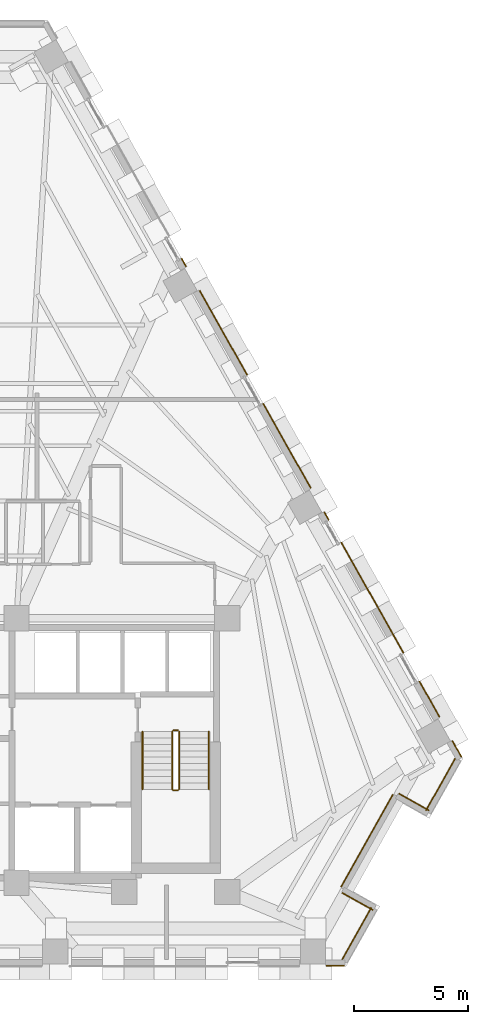
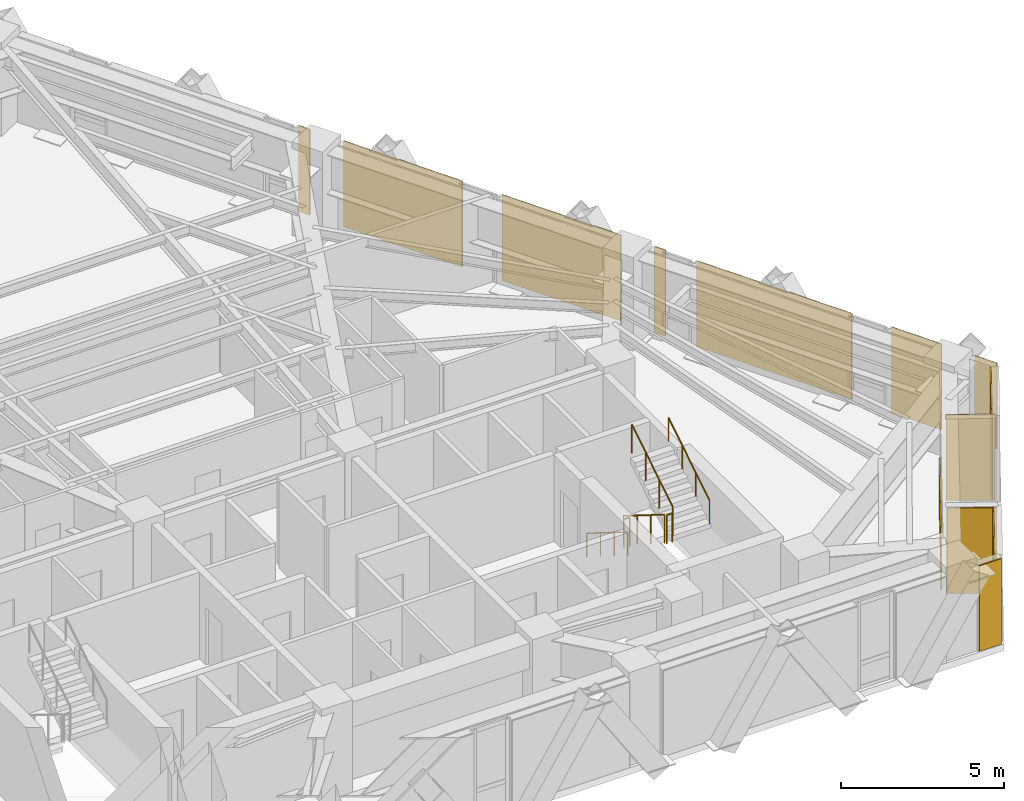
# One storey, part 12 of 13: 13 coverings, 6 railings.
"""IFC4 building model written with IfcOpenShell, lengths in metres."""

from ifc_helpers import new_model, si_unit, direction, frame, origin, origin_2d, place, context, subcontext, project, spatial, polyline, circle, outline, extrude, material, layer, layer_set, type_object, element, save


model = new_model("IFC4")

# Units and contexts
model_context = context("Model", 3, precision=1e-05, world=origin(), true_north=direction((0.0, 1.0)))
body_context = subcontext(model_context, "Body", "Model", "MODEL_VIEW")
ifc_project = project(units=[si_unit("LENGTHUNIT", "METRE"), si_unit("AREAUNIT", "SQUARE_METRE"), si_unit("VOLUMEUNIT", "CUBIC_METRE"), si_unit("PLANEANGLEUNIT", "RADIAN"), si_unit("MASSUNIT", "GRAM", prefix="KILO")], contexts=[model_context])

# Site, building, storey
site_placement = place(None, origin())
site = spatial("IfcSite", under=ifc_project, at=site_placement, CompositionType="ELEMENT")
building_placement = place(site_placement, origin())
building = spatial("IfcBuilding", under=site, at=building_placement, Name="Quenlor Broadcast Tower", CompositionType="ELEMENT")
storey_placement = place(building_placement, frame((0.0, 0.0, 126.5)))
storey = spatial("IfcBuildingStorey", under=building, at=storey_placement, Name="L34", CompositionType="ELEMENT", Elevation=126.5)

# Coverings
ifc_material_1 = material(Name="Architectural Terracotta Ceramic", Category="masonry")
ifc_layer = layer(ifc_material_1, 0.044921875)
ifc_layer_set = layer_set([ifc_layer], Name="Fluted Terracotta Rainscreen Cladding Panel")
covering_type = type_object("IfcCoveringType", Name="Fluted Terracotta Rainscreen Cladding Panel", PredefinedType="CLADDING", material=ifc_layer_set)
covering_1_placement = place(storey_placement, frame((0.0, 0.0, 0.02001953125)))
element("IfcCovering", 1, at=covering_1_placement, inside=storey, type_object=covering_type, Name="L34 Terracotta Rainscreen Cladding L34-SHD-SS0", PredefinedType="CLADDING", context=body_context, shape_type="SweptSolid", body=[
    extrude(outline(polyline([(18.053955078125, -19.951904296875), (17.277587890625, -19.951904296875), (17.277587890625, -19.9970703125), (18.053955078125, -19.9970703125), (18.053955078125, -19.951904296875)])), origin(), (0.0, 0.0, 1.0), 3.2099609375),
])
covering_2_placement = place(storey_placement, frame((0.0, 0.0, 0.02001953125)))
element("IfcCovering", 2, at=covering_2_placement, inside=storey, type_object=covering_type, Name="L34 Terracotta Rainscreen Cladding L34-SHD-NES1", PredefinedType="CLADDING", context=body_context, shape_type="SweptSolid", body=[
    extrude(outline(polyline([(22.76611328125, -10.171142578125), (23.160888671875, -10.873046875), (23.2001953125, -10.85107421875), (22.805419921875, -10.149169921875), (22.76611328125, -10.171142578125)])), origin(), (0.0, 0.0, 1.0), 3.2099609375),
])
covering_3_placement = place(storey_placement, frame((0.0, 0.0, 0.02001953125)))
element("IfcCovering", 3, at=covering_3_placement, inside=storey, type_object=covering_type, Name="L34 Terracotta Rainscreen Cladding L34-NEA-SP3", PredefinedType="CLADDING", context=body_context, shape_type="SweptSolid", body=[
    extrude(outline(polyline([(10.936279296875, 10.900634765625), (11.13232421875, 10.552001953125), (11.171630859375, 10.57421875), (10.9755859375, 10.922607421875), (10.936279296875, 10.900634765625)])), origin(), (0.0, 0.0, 1.0), 3.2099609375),
])
covering_4_placement = place(storey_placement, frame((0.0, 0.0, 0.02001953125)))
element("IfcCovering", 4, at=covering_4_placement, inside=storey, type_object=covering_type, Name="L34 Terracotta Rainscreen Cladding L34-NEC-SP1", PredefinedType="CLADDING", context=body_context, shape_type="SweptSolid", body=[
    extrude(outline(polyline([(17.168701171875, -0.179443359375), (17.36474609375, -0.528076171875), (17.404052734375, -0.506103515625), (17.2080078125, -0.157470703125), (17.168701171875, -0.179443359375)])), origin(), (0.0, 0.0, 1.0), 3.2099609375),
])
covering_5_placement = place(storey_placement, frame((0.0, 0.0, 0.02001953125)))
element("IfcCovering", 5, at=covering_5_placement, inside=storey, type_object=covering_type, Name="L34 Terracotta Rainscreen Cladding L34-NEC-SP2", PredefinedType="CLADDING", context=body_context, shape_type="SweptSolid", body=[
    extrude(outline(polyline([(17.912841796875, -1.502197265625), (20.62744140625, -6.328369140625), (20.666748046875, -6.306396484375), (17.951904296875, -1.47998046875), (17.912841796875, -1.502197265625)])), origin(), (0.0, 0.0, 1.0), 3.2099609375),
])
covering_6_placement = place(storey_placement, frame((0.0, 0.0, 0.02001953125)))
element("IfcCovering", 6, at=covering_6_placement, inside=storey, type_object=covering_type, Name="L34 Terracotta Rainscreen Cladding L34-NEC-SP3", PredefinedType="CLADDING", context=body_context, shape_type="SweptSolid", body=[
    extrude(outline(polyline([(21.325927734375, -7.56982421875), (22.2001953125, -9.1240234375), (22.239501953125, -9.10205078125), (21.364990234375, -7.5478515625), (21.325927734375, -7.56982421875)])), origin(), (0.0, 0.0, 1.0), 3.2099609375),
])
covering_7_placement = place(storey_placement, frame((0.0, 0.0, 0.02001953125)))
element("IfcCovering", 7, at=covering_7_placement, inside=storey, type_object=covering_type, Name="L34 Terracotta Rainscreen Cladding L34-NE-SP1", PredefinedType="CLADDING", context=body_context, shape_type="SweptSolid", body=[
    extrude(outline(polyline([(11.72314453125, 9.501708984375), (13.801513671875, 5.806884765625), (13.8408203125, 5.8291015625), (11.76220703125, 9.523681640625), (11.72314453125, 9.501708984375)])), origin(), (0.0, 0.0, 1.0), 3.2099609375),
])
covering_8_placement = place(storey_placement, frame((0.0, 0.0, 0.02001953125)))
element("IfcCovering", 8, at=covering_8_placement, inside=storey, type_object=covering_type, Name="L34 Terracotta Rainscreen Cladding L34-NE-SP2", PredefinedType="CLADDING", context=body_context, shape_type="SweptSolid", body=[
    extrude(outline(polyline([(14.499755859375, 4.565673828125), (16.577880859375, 0.870849609375), (16.6171875, 0.892822265625), (14.538818359375, 4.587646484375), (14.499755859375, 4.565673828125)])), origin(), (0.0, 0.0, 1.0), 3.2099609375),
])
covering_9_placement = place(storey_placement, frame((0.0, 0.0, 0.02001953125)))
element("IfcCovering", 9, at=covering_9_placement, inside=storey, type_object=covering_type, Name="L34 Terracotta Rainscreen Cladding L34-CNR-01", PredefinedType="CLADDING", context=body_context, shape_type="SweptSolid", body=[
    extrude(outline(polyline([(19.31787109375, -17.525390625), (17.9755859375, -16.770263671875), (17.95361328125, -16.8095703125), (19.2958984375, -17.564697265625), (19.31787109375, -17.525390625)])), origin(), (0.0, 0.0, 1.0), 3.2099609375),
])
covering_10_placement = place(storey_placement, frame((0.0, 0.0, 0.02001953125)))
element("IfcCovering", 10, at=covering_10_placement, inside=storey, type_object=covering_type, Name="L34 Terracotta Rainscreen Cladding L34-CNR-02", PredefinedType="CLADDING", context=body_context, shape_type="SweptSolid", body=[
    extrude(outline(polyline([(17.941162109375, -16.5419921875), (20.206298828125, -12.515380859375), (20.1669921875, -12.493408203125), (17.902099609375, -16.52001953125), (17.941162109375, -16.5419921875)])), origin(), (0.0, 0.0, 1.0), 1.7099609375),
])
covering_11_placement = place(storey_placement, frame((0.0, 0.0, 0.02001953125)))
element("IfcCovering", 11, at=covering_11_placement, inside=storey, type_object=covering_type, Name="L34 Terracotta Rainscreen Cladding L34-CNR-03", PredefinedType="CLADDING", context=body_context, shape_type="SweptSolid", body=[
    extrude(outline(polyline([(20.4345703125, -12.48095703125), (21.741943359375, -13.21630859375), (21.763916015625, -13.177001953125), (20.45654296875, -12.441650390625), (20.4345703125, -12.48095703125)])), origin(), (0.0, 0.0, 1.0), 3.2099609375),
])
covering_12_placement = place(storey_placement, frame((0.0, 0.0, 0.02001953125)))
element("IfcCovering", 12, at=covering_12_placement, inside=storey, type_object=covering_type, Name="L34 Terracotta Rainscreen Cladding L34-CNR-04", PredefinedType="CLADDING", context=body_context, shape_type="SweptSolid", body=[
    extrude(outline(polyline([(21.64990234375, -13.212646484375), (22.926513671875, -10.94287109375), (22.887451171875, -10.9208984375), (21.610595703125, -13.190673828125), (21.64990234375, -13.212646484375)])), origin(), (0.0, 0.0, 1.0), 3.2099609375),
])
covering_13_placement = place(storey_placement, frame((0.0, 0.0, 0.02001953125)))
element("IfcCovering", 13, at=covering_13_placement, inside=storey, type_object=covering_type, Name="L34 Terracotta Rainscreen Cladding L34-CNR-18", PredefinedType="CLADDING", context=body_context, shape_type="SweptSolid", body=[
    extrude(outline(polyline([(17.991943359375, -19.71533203125), (19.26708984375, -17.448486328125), (19.227783203125, -17.426513671875), (17.952880859375, -19.693359375), (17.991943359375, -19.71533203125)])), origin(), (0.0, 0.0, 1.0), 3.2099609375),
])

# Railings
ifc_material_2 = material(Name="Anodised Aluminium", Category="aluminium")
railing_type_1 = type_object("IfcRailingType", Name="Stainless Aluminium Wall Handrail 900", PredefinedType="HANDRAIL", material=ifc_material_2)
railing_1_placement = place(storey_placement, frame((9.25, -9.75, 0.175048828125)))
element("IfcRailing", 14, at=railing_1_placement, inside=storey, type_object=railing_type_1, Name="L34 ST-2 stair handrail 1", PredefinedType="HANDRAIL", context=body_context, shape_type="SweptSolid", body=[
    extrude(circle(Radius=0.02392578125, at=origin_2d()), frame((0.0, 0.0, 0.8759765625), z_axis=(0.0, -0.848007534815, 0.529984170421), x_axis=(1.0, 0.0, 0.0)), (0.0, 0.0, 1.0), 2.9716796875),
    extrude(circle(Radius=0.02099609375, at=origin_2d()), origin(), (0.0, 0.0, 1.0), 0.851806640625),
    extrude(circle(Radius=0.02099609375, at=origin_2d()), frame((0.0, -0.840087890625, 0.52490234375)), (0.0, 0.0, 1.0), 0.851806640625),
    extrude(circle(Radius=0.02099609375, at=origin_2d()), frame((0.0, -1.679931640625, 1.050048828125)), (0.0, 0.0, 1.0), 0.851806640625),
    extrude(circle(Radius=0.02099609375, at=origin_2d()), frame((0.0, -2.52001953125, 1.574951171875)), (0.0, 0.0, 1.0), 0.851806640625),
])
railing_2_placement = place(storey_placement, frame((12.14990234375, -12.27001953125, 1.925048828125)))
element("IfcRailing", 15, at=railing_2_placement, inside=storey, type_object=railing_type_1, Name="L34 ST-2 stair handrail 2", PredefinedType="HANDRAIL", context=body_context, shape_type="SweptSolid", body=[
    extrude(circle(Radius=0.02392578125, at=origin_2d()), frame((0.0, 0.0, 0.8759765625), z_axis=(0.0, 0.848007534815, 0.529984170421), x_axis=(-1.0, 0.0, 0.0)), (0.0, 0.0, 1.0), 2.9716796875),
    extrude(circle(Radius=0.02099609375, at=origin_2d()), origin(), (0.0, 0.0, 1.0), 0.851806640625),
    extrude(circle(Radius=0.02099609375, at=origin_2d()), frame((0.0, 0.840087890625, 0.52490234375)), (0.0, 0.0, 1.0), 0.851806640625),
    extrude(circle(Radius=0.02099609375, at=origin_2d()), frame((0.0, 1.679931640625, 1.050048828125)), (0.0, 0.0, 1.0), 0.851806640625),
    extrude(circle(Radius=0.02099609375, at=origin_2d()), frame((0.0, 2.52001953125, 1.574951171875)), (0.0, 0.0, 1.0), 0.851806640625),
])
ifc_material_3 = material(Name="Steel S355", Category="steel")
railing_type_2 = type_object("IfcRailingType", Name="Tubular Steel S355 Stair Guardrail 1100", PredefinedType="BALUSTRADE", material=ifc_material_3)
railing_3_placement = place(storey_placement, frame((10.550048828125, -9.75, 0.175048828125)))
element("IfcRailing", 16, at=railing_3_placement, inside=storey, type_object=railing_type_2, Name="L34 ST-2 stair guard 1", PredefinedType="BALUSTRADE", context=body_context, shape_type="SweptSolid", body=[
    extrude(circle(Radius=0.02392578125, at=origin_2d()), frame((0.0, 0.0, 1.076171875), z_axis=(0.0, -0.848007534815, 0.529984170421), x_axis=(1.0, 0.0, 0.0)), (0.0, 0.0, 1.0), 2.9716796875),
    extrude(circle(Radius=0.02099609375, at=origin_2d()), origin(), (0.0, 0.0, 1.0), 1.052001953125),
    extrude(circle(Radius=0.02099609375, at=origin_2d()), frame((0.0, -0.840087890625, 0.52490234375)), (0.0, 0.0, 1.0), 1.052001953125),
    extrude(circle(Radius=0.02099609375, at=origin_2d()), frame((0.0, -1.679931640625, 1.050048828125)), (0.0, 0.0, 1.0), 1.052001953125),
    extrude(circle(Radius=0.02099609375, at=origin_2d()), frame((0.0, -2.52001953125, 1.574951171875)), (0.0, 0.0, 1.0), 1.052001953125),
])
railing_4_placement = place(storey_placement, frame((10.60009765625, -12.320068359375, 1.75)))
element("IfcRailing", 17, at=railing_4_placement, inside=storey, type_object=railing_type_2, Name="L34 ST-2 stair guard 2", PredefinedType="BALUSTRADE", context=body_context, shape_type="SweptSolid", body=[
    extrude(circle(Radius=0.02392578125, at=origin_2d()), frame((0.0, 0.0, 1.076171875), z_axis=(1.0, 0.0, 0.0), x_axis=(0.0, 1.0, 0.0)), (0.0, 0.0, 1.0), 0.199951171875),
    extrude(circle(Radius=0.02099609375, at=origin_2d()), origin(), (0.0, 0.0, 1.0), 1.052001953125),
    extrude(circle(Radius=0.02099609375, at=origin_2d()), frame((0.199951171875, 0.0, 0.0)), (0.0, 0.0, 1.0), 1.052001953125),
])
railing_5_placement = place(storey_placement, frame((10.85009765625, -12.27001953125, 1.925048828125)))
element("IfcRailing", 18, at=railing_5_placement, inside=storey, type_object=railing_type_2, Name="L34 ST-2 stair guard 3", PredefinedType="BALUSTRADE", context=body_context, shape_type="SweptSolid", body=[
    extrude(circle(Radius=0.02392578125, at=origin_2d()), frame((0.0, 0.0, 1.076171875), z_axis=(0.0, 0.848007534815, 0.529984170421), x_axis=(-1.0, 0.0, 0.0)), (0.0, 0.0, 1.0), 2.9716796875),
    extrude(circle(Radius=0.02099609375, at=origin_2d()), origin(), (0.0, 0.0, 1.0), 1.052001953125),
    extrude(circle(Radius=0.02099609375, at=origin_2d()), frame((0.0, 0.840087890625, 0.52490234375)), (0.0, 0.0, 1.0), 1.052001953125),
    extrude(circle(Radius=0.02099609375, at=origin_2d()), frame((0.0, 1.679931640625, 1.050048828125)), (0.0, 0.0, 1.0), 1.052001953125),
    extrude(circle(Radius=0.02099609375, at=origin_2d()), frame((0.0, 2.52001953125, 1.574951171875)), (0.0, 0.0, 1.0), 1.052001953125),
])
railing_6_placement = place(storey_placement, frame((10.60009765625, -9.699951171875, 0.0)))
element("IfcRailing", 19, at=railing_6_placement, inside=storey, type_object=railing_type_2, Name="L34 ST-2 stair guard 4", PredefinedType="BALUSTRADE", context=body_context, shape_type="SweptSolid", body=[
    extrude(circle(Radius=0.02392578125, at=origin_2d()), frame((0.0, 0.0, 1.076171875), z_axis=(1.0, 0.0, 0.0), x_axis=(0.0, 1.0, 0.0)), (0.0, 0.0, 1.0), 0.199951171875),
    extrude(circle(Radius=0.02099609375, at=origin_2d()), origin(), (0.0, 0.0, 1.0), 1.052001953125),
    extrude(circle(Radius=0.02099609375, at=origin_2d()), frame((0.199951171875, 0.0, 0.0)), (0.0, 0.0, 1.0), 1.052001953125),
])

save(model, "model.ifc")
